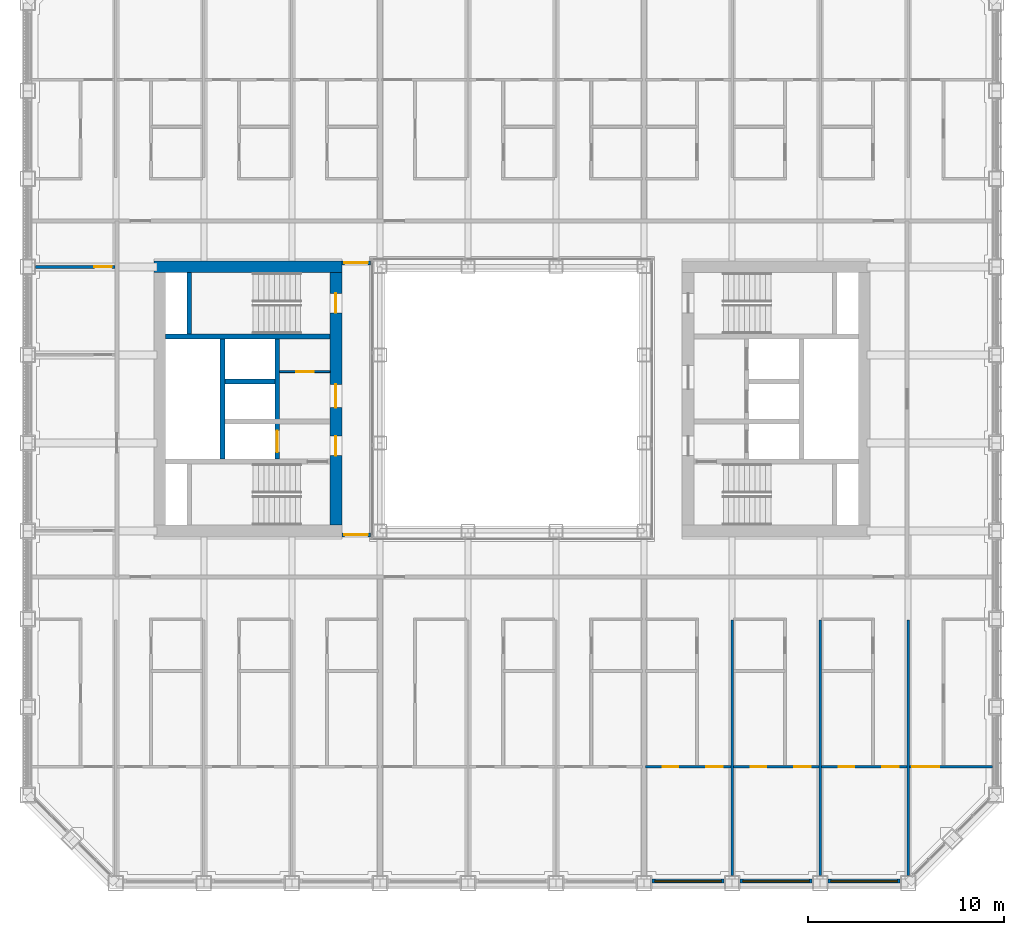
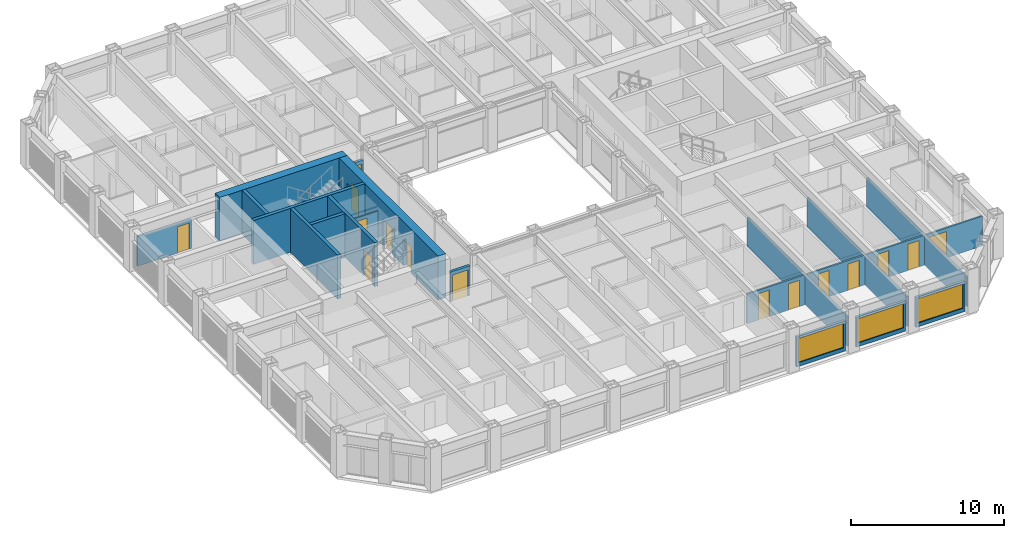
# One storey, part 11 of 21: 21 walls, 15 doors, 3 windows, 18 openings.
"""IFC4 building model written with IfcOpenShell, lengths in metres."""

from ifc_helpers import new_model, si_unit, direction, frame, frame_2d, origin, place, context, subcontext, project, spatial, rectangle, extrude, material, layer, layer_set, type_object, element, fill, save


model = new_model("IFC4")

# Units and contexts
model_context = context("Model", 3, precision=1e-05, world=origin(), true_north=direction((0.0, 1.0)))
body_context = subcontext(model_context, "Body", "Model", "MODEL_VIEW")
ifc_project = project(units=[si_unit("LENGTHUNIT", "METRE"), si_unit("AREAUNIT", "SQUARE_METRE"), si_unit("VOLUMEUNIT", "CUBIC_METRE"), si_unit("PLANEANGLEUNIT", "RADIAN"), si_unit("MASSUNIT", "GRAM", prefix="KILO")], contexts=[model_context])

# Site, building, storey
site_placement = place(None, origin())
site = spatial("IfcSite", under=ifc_project, at=site_placement, CompositionType="ELEMENT")
building_placement = place(site_placement, origin())
building = spatial("IfcBuilding", under=site, at=building_placement, Name="Msasa Ring Tower", CompositionType="ELEMENT")
storey_placement = place(building_placement, frame((0.0, 0.0, 96.5)))
storey = spatial("IfcBuildingStorey", under=building, at=storey_placement, Name="L25", CompositionType="ELEMENT", Elevation=96.5)

# Wall
ifc_material_1 = material(Name="Concrete C60/75", Category="concrete")
ifc_layer_1 = layer(ifc_material_1, 0.60009765625)
ifc_layer_set_1 = layer_set([ifc_layer_1], Name="CW1 CORE WALL 600")
wall_type_1 = type_object("IfcWallType", Name="CW1 CORE WALL 600", PredefinedType="SHEAR", material=ifc_layer_set_1)
wall_1_placement = place(storey_placement, frame((-8.699951171875, 6.75, 0.0), z_axis=(0.0, 0.0, 1.0), x_axis=(-1.0, 0.0, 0.0)))
element("IfcWall", 1, at=wall_1_placement, inside=storey, type_object=wall_type_1, Name="W core wall N L25", PredefinedType="SHEAR", context=body_context, shape_type="SweptSolid", body=[
    extrude(rectangle(XDim=9.60009765625, YDim=0.60009765625, at=frame_2d((4.800048828125, 0.0))), origin(), (0.0, 0.0, 1.0), 3.5),
])

# Wall, openings, doors
wall_2_placement = place(storey_placement, frame((-9.0, -6.449951171875, 0.0), z_axis=(0.0, 0.0, 1.0), x_axis=(0.0, 1.0, 0.0)))
wall_2 = element("IfcWall", 2, at=wall_2_placement, inside=storey, type_object=wall_type_1, Name="W core wall W L25", PredefinedType="SHEAR", context=body_context, shape_type="SweptSolid", body=[
    extrude(rectangle(XDim=12.89990234375, YDim=0.60009765625, at=frame_2d((6.449951171875, 0.0))), origin(), (0.0, 0.0, 1.0), 3.5),
])
opening_1_placement = place(wall_2_placement, frame((3.550048828125, 0.0, 0.0)))
opening_1 = element("IfcOpeningElement", 3, at=opening_1_placement, cuts=wall_2, Name="Opening RG-044", PredefinedType="OPENING", context=body_context, shape_type="SweptSolid", body=[
    extrude(rectangle(XDim=1.0, YDim=2.10009765625, at=frame_2d((0.5, 1.050048828125))), frame((0.0, 0.31005859375, 0.0), z_axis=(0.0, -1.0, 0.0), x_axis=(1.0, 0.0, 0.0)), (0.0, 0.0, 1.0), 0.6201171875),
])
opening_2_placement = place(wall_2_placement, frame((6.0, 0.0, 0.0)))
opening_2 = element("IfcOpeningElement", 4, at=opening_2_placement, cuts=wall_2, Name="Opening RG-041", PredefinedType="OPENING", context=body_context, shape_type="SweptSolid", body=[
    extrude(rectangle(XDim=1.199951171875, YDim=2.10009765625, at=frame_2d((0.60009765625, 1.050048828125))), frame((0.0, 0.31005859375, 0.0), z_axis=(0.0, -1.0, 0.0), x_axis=(1.0, 0.0, 0.0)), (0.0, 0.0, 1.0), 0.6201171875),
])
opening_3_placement = place(wall_2_placement, frame((10.85009765625, 0.0, 0.0)))
opening_3 = element("IfcOpeningElement", 5, at=opening_3_placement, cuts=wall_2, Name="Opening RG-036", PredefinedType="OPENING", context=body_context, shape_type="SweptSolid", body=[
    extrude(rectangle(XDim=1.0, YDim=2.10009765625, at=frame_2d((0.5, 1.050048828125))), frame((0.0, 0.31005859375, 0.0), z_axis=(0.0, -1.0, 0.0), x_axis=(1.0, 0.0, 0.0)), (0.0, 0.0, 1.0), 0.6201171875),
])
ifc_material_2 = material(Name="Timber door leaf in a steel frame", Category="steel")
door_type_1 = type_object("IfcDoorType", Name="D26 WIDE SERVICE ROOM DOOR 1200x2100", OperationType="SINGLE_SWING_LEFT", PredefinedType="DOOR", material=ifc_material_2)
door_1_placement = place(opening_2_placement, origin())
door_1 = element("IfcDoor", 6, at=door_1_placement, inside=storey, type_object=door_type_1, Name="Door L25-WCR", OperationType="SINGLE_SWING_RIGHT", OverallHeight=2.10009765625, OverallWidth=1.199951171875, PredefinedType="DOOR", context=body_context, shape_type="SweptSolid", body=[
    extrude(rectangle(XDim=1.199951171875, YDim=2.10009765625, at=frame_2d((0.60009765625, 1.050048828125))), frame((0.0, 0.02490234375, 0.0), z_axis=(0.0, -1.0, 0.0), x_axis=(1.0, 0.0, 0.0)), (0.0, 0.0, 1.0), 0.050048828125),
])
fill(opening_2, door_1)
ifc_material_3 = material(Name="Timber door leaf in a steel frame", Category="steel")
door_type_2 = type_object("IfcDoorType", Name="D4 LOBBY DOOR 1000x2100", OperationType="SINGLE_SWING_LEFT", PredefinedType="DOOR", material=ifc_material_3)
door_2_placement = place(opening_1_placement, origin())
door_2 = element("IfcDoor", 7, at=door_2_placement, inside=storey, type_object=door_type_2, Name="Door L25-WFFL", OperationType="SINGLE_SWING_LEFT", OverallHeight=2.10009765625, OverallWidth=1.0, PredefinedType="DOOR", context=body_context, shape_type="SweptSolid", body=[
    extrude(rectangle(XDim=1.0, YDim=2.10009765625, at=frame_2d((0.5, 1.050048828125))), frame((0.0, 0.02490234375, 0.0), z_axis=(0.0, -1.0, 0.0), x_axis=(1.0, 0.0, 0.0)), (0.0, 0.0, 1.0), 0.050048828125),
])
fill(opening_1, door_2)
ifc_material_4 = material(Name="Timber door leaf in a steel frame", Category="steel")
door_type_3 = type_object("IfcDoorType", Name="D6 STAIR DOOR 1000x2100", OperationType="SINGLE_SWING_LEFT", PredefinedType="DOOR", material=ifc_material_4)
door_3_placement = place(opening_3_placement, origin())
door_3 = element("IfcDoor", 8, at=door_3_placement, inside=storey, type_object=door_type_3, Name="Door L25-WSTB", OperationType="SINGLE_SWING_RIGHT", OverallHeight=2.10009765625, OverallWidth=1.0, PredefinedType="DOOR", context=body_context, shape_type="SweptSolid", body=[
    extrude(rectangle(XDim=1.0, YDim=2.10009765625, at=frame_2d((0.5, 1.050048828125))), frame((0.0, 0.02490234375, 0.0), z_axis=(0.0, -1.0, 0.0), x_axis=(1.0, 0.0, 0.0)), (0.0, 0.0, 1.0), 0.050048828125),
])
fill(opening_3, door_3)

# Walls
ifc_material_5 = material(Name="Concrete C60/75", Category="concrete")
ifc_layer_2 = layer(ifc_material_5, 0.25)
ifc_layer_set_2 = layer_set([ifc_layer_2], Name="CW4 CORE INNER WALL 250")
wall_type_2 = type_object("IfcWallType", Name="CW4 CORE INNER WALL 250", PredefinedType="SHEAR", material=ifc_layer_set_2)
wall_3_placement = place(storey_placement, frame((-9.300048828125, 3.199951171875, 0.0), z_axis=(0.0, 0.0, 1.0), x_axis=(-1.0, 0.0, 0.0)))
element("IfcWall", 9, at=wall_3_placement, inside=storey, type_object=wall_type_2, Name="W core wall STAIRB L25", PredefinedType="SHEAR", context=body_context, shape_type="SweptSolid", body=[
    extrude(rectangle(XDim=8.39990234375, YDim=0.25, at=frame_2d((4.199951171875, 0.0))), origin(), (0.0, 0.0, 1.0), 3.5),
])
wall_4_placement = place(storey_placement, frame((-16.5, 3.324951171875, 0.0), z_axis=(0.0, 0.0, 1.0), x_axis=(0.0, 1.0, 0.0)))
element("IfcWall", 10, at=wall_4_placement, inside=storey, type_object=wall_type_2, Name="W core wall RISERB L25", PredefinedType="SHEAR", context=body_context, shape_type="SweptSolid", body=[
    extrude(rectangle(XDim=3.125, YDim=0.25, at=frame_2d((1.5625, 0.0))), origin(), (0.0, 0.0, 1.0), 3.5),
])

# Wall, opening, door
wall_5_placement = place(storey_placement, frame((-12.0, -3.074951171875, 0.0), z_axis=(0.0, 0.0, 1.0), x_axis=(0.0, 1.0, 0.0)))
wall_5 = element("IfcWall", 11, at=wall_5_placement, inside=storey, type_object=wall_type_2, Name="W core wall LOBBY L25", PredefinedType="SHEAR", context=body_context, shape_type="SweptSolid", body=[
    extrude(rectangle(XDim=6.14990234375, YDim=0.25, at=frame_2d((3.074951171875, 0.0))), origin(), (0.0, 0.0, 1.0), 3.5),
])
opening_4_placement = place(wall_5_placement, frame((0.35009765625, 0.0, 0.0)))
opening_4 = element("IfcOpeningElement", 12, at=opening_4_placement, cuts=wall_5, Name="Opening LD1", PredefinedType="OPENING", context=body_context, shape_type="SweptSolid", body=[
    extrude(rectangle(XDim=1.10009765625, YDim=2.10009765625, at=frame_2d((0.550048828125, 1.050048828125))), frame((0.0, 0.135009765625, 0.0), z_axis=(0.0, -1.0, 0.0), x_axis=(1.0, 0.0, 0.0)), (0.0, 0.0, 1.0), 0.27001953125),
])
ifc_material_6 = material(Name="Stainless steel lift landing door", Category="steel")
door_type_4 = type_object("IfcDoorType", Name="LD1 LIFT LANDING DOOR 1100x2100", OperationType="DOUBLE_DOOR_SLIDING", PredefinedType="DOOR", material=ifc_material_6)
door_4_placement = place(opening_4_placement, origin())
door_4 = element("IfcDoor", 13, at=door_4_placement, inside=storey, type_object=door_type_4, Name="Lift landing door FL-W L25", OperationType="DOUBLE_DOOR_SLIDING", OverallHeight=2.10009765625, OverallWidth=1.10009765625, PredefinedType="DOOR", context=body_context, shape_type="SweptSolid", body=[
    extrude(rectangle(XDim=1.10009765625, YDim=2.10009765625, at=frame_2d((0.550048828125, 1.050048828125))), frame((0.0, 0.02490234375, 0.0), z_axis=(0.0, -1.0, 0.0), x_axis=(1.0, 0.0, 0.0)), (0.0, 0.0, 1.0), 0.050048828125),
])
fill(opening_4, door_4)

# Walls
wall_6_placement = place(storey_placement, frame((-14.800048828125, -3.074951171875, 0.0), z_axis=(0.0, 0.0, 1.0), x_axis=(0.0, 1.0, 0.0)))
element("IfcWall", 14, at=wall_6_placement, inside=storey, type_object=wall_type_2, Name="W core wall SHAFT L25", PredefinedType="SHEAR", context=body_context, shape_type="SweptSolid", body=[
    extrude(rectangle(XDim=6.14990234375, YDim=0.25, at=frame_2d((3.074951171875, 0.0))), origin(), (0.0, 0.0, 1.0), 3.5),
])
wall_7_placement = place(storey_placement, frame((-12.125, 0.89990234375, 0.0), z_axis=(0.0, 0.0, 1.0), x_axis=(-1.0, 0.0, 0.0)))
element("IfcWall", 15, at=wall_7_placement, inside=storey, type_object=wall_type_2, Name="W core wall LIFT1 L25", PredefinedType="SHEAR", context=body_context, shape_type="SweptSolid", body=[
    extrude(rectangle(XDim=2.550048828125, YDim=0.25, at=frame_2d((1.27490234375, 0.0))), origin(), (0.0, 0.0, 1.0), 3.5),
])

# Wall, opening, window
ifc_material_7 = material(Name="Terracotta rainscreen on blockwork", Category="masonry")
ifc_layer_3 = layer(ifc_material_7, 0.199951171875)
ifc_layer_set_3 = layer_set([ifc_layer_3], Name="FW1 TERRACOTTA-LINED INFILL BAY WALL 200")
wall_type_3 = type_object("IfcWallType", Name="FW1 TERRACOTTA-LINED INFILL BAY WALL 200", PredefinedType="SOLIDWALL", material=ifc_layer_set_3)
wall_8_placement = place(storey_placement, frame((7.155029296875, -24.64990234375, 0.0), z_axis=(0.0, 0.0, 1.0), x_axis=(1.0, 0.0, 0.0)))
wall_8 = element("IfcWall", 16, at=wall_8_placement, inside=storey, type_object=wall_type_3, Name="Infill bay wall S L25 06", PredefinedType="SOLIDWALL", context=body_context, shape_type="SweptSolid", body=[
    extrude(rectangle(XDim=3.68994140625, YDim=0.199951171875, at=frame_2d((1.844970703125, 0.0))), origin(), (0.0, 0.0, 1.0), 2.37890625),
])
opening_5_placement = place(wall_8_placement, frame((0.14501953125, 0.0, 0.300048828125)))
opening_5 = element("IfcOpeningElement", 17, at=opening_5_placement, cuts=wall_8, Name="Opening WN1", PredefinedType="OPENING", context=body_context, shape_type="SweptSolid", body=[
    extrude(rectangle(XDim=3.39990234375, YDim=1.928955078125, at=frame_2d((1.699951171875, 0.96435546875))), frame((0.0, 0.10986328125, 0.0), z_axis=(0.0, -1.0, 0.0), x_axis=(1.0, 0.0, 0.0)), (0.0, 0.0, 1.0), 0.219970703125),
])
ifc_material_8 = material(Name="Aluminium frame with clear glass", Category="aluminium")
window_type = type_object("IfcWindowType", Name="WN1 RESIDENCE WINDOW 3400x1929", PartitioningType="SINGLE_PANEL", PredefinedType="WINDOW", material=ifc_material_8)
window_1_placement = place(opening_5_placement, origin())
window_1 = element("IfcWindow", 18, at=window_1_placement, inside=storey, type_object=window_type, Name="Window S L25 06", OverallHeight=1.928955078125, OverallWidth=3.39990234375, PartitioningType="SINGLE_PANEL", PredefinedType="WINDOW", context=body_context, shape_type="SweptSolid", body=[
    extrude(rectangle(XDim=3.39990234375, YDim=1.928955078125, at=frame_2d((1.699951171875, 0.96435546875))), frame((0.0, 0.030029296875, 0.0), z_axis=(0.0, -1.0, 0.0), x_axis=(1.0, 0.0, 0.0)), (0.0, 0.0, 1.0), 0.06005859375),
])
fill(opening_5, window_1)

wall_9_placement = place(storey_placement, frame((11.655029296875, -24.64990234375, 0.0), z_axis=(0.0, 0.0, 1.0), x_axis=(1.0, 0.0, 0.0)))
wall_9 = element("IfcWall", 19, at=wall_9_placement, inside=storey, type_object=wall_type_3, Name="Infill bay wall S L25 07", PredefinedType="SOLIDWALL", context=body_context, shape_type="SweptSolid", body=[
    extrude(rectangle(XDim=3.68994140625, YDim=0.199951171875, at=frame_2d((1.844970703125, 0.0))), origin(), (0.0, 0.0, 1.0), 2.37890625),
])
opening_6_placement = place(wall_9_placement, frame((0.14501953125, 0.0, 0.300048828125)))
opening_6 = element("IfcOpeningElement", 20, at=opening_6_placement, cuts=wall_9, Name="Opening WN1", PredefinedType="OPENING", context=body_context, shape_type="SweptSolid", body=[
    extrude(rectangle(XDim=3.39990234375, YDim=1.928955078125, at=frame_2d((1.699951171875, 0.96435546875))), frame((0.0, 0.10986328125, 0.0), z_axis=(0.0, -1.0, 0.0), x_axis=(1.0, 0.0, 0.0)), (0.0, 0.0, 1.0), 0.219970703125),
])
window_2_placement = place(opening_6_placement, origin())
window_2 = element("IfcWindow", 21, at=window_2_placement, inside=storey, type_object=window_type, Name="Window S L25 07", OverallHeight=1.928955078125, OverallWidth=3.39990234375, PartitioningType="SINGLE_PANEL", PredefinedType="WINDOW", context=body_context, shape_type="SweptSolid", body=[
    extrude(rectangle(XDim=3.39990234375, YDim=1.928955078125, at=frame_2d((1.699951171875, 0.96435546875))), frame((0.0, 0.030029296875, 0.0), z_axis=(0.0, -1.0, 0.0), x_axis=(1.0, 0.0, 0.0)), (0.0, 0.0, 1.0), 0.06005859375),
])
fill(opening_6, window_2)

wall_10_placement = place(storey_placement, frame((16.155029296875, -24.64990234375, 0.0), z_axis=(0.0, 0.0, 1.0), x_axis=(1.0, 0.0, 0.0)))
wall_10 = element("IfcWall", 22, at=wall_10_placement, inside=storey, type_object=wall_type_3, Name="Infill bay wall S L25 08", PredefinedType="SOLIDWALL", context=body_context, shape_type="SweptSolid", body=[
    extrude(rectangle(XDim=3.68994140625, YDim=0.199951171875, at=frame_2d((1.844970703125, 0.0))), origin(), (0.0, 0.0, 1.0), 2.37890625),
])
opening_7_placement = place(wall_10_placement, frame((0.14501953125, 0.0, 0.300048828125)))
opening_7 = element("IfcOpeningElement", 23, at=opening_7_placement, cuts=wall_10, Name="Opening WN1", PredefinedType="OPENING", context=body_context, shape_type="SweptSolid", body=[
    extrude(rectangle(XDim=3.39990234375, YDim=1.928955078125, at=frame_2d((1.699951171875, 0.96435546875))), frame((0.0, 0.10986328125, 0.0), z_axis=(0.0, -1.0, 0.0), x_axis=(1.0, 0.0, 0.0)), (0.0, 0.0, 1.0), 0.219970703125),
])
window_3_placement = place(opening_7_placement, origin())
window_3 = element("IfcWindow", 24, at=window_3_placement, inside=storey, type_object=window_type, Name="Window S L25 08", OverallHeight=1.928955078125, OverallWidth=3.39990234375, PartitioningType="SINGLE_PANEL", PredefinedType="WINDOW", context=body_context, shape_type="SweptSolid", body=[
    extrude(rectangle(XDim=3.39990234375, YDim=1.928955078125, at=frame_2d((1.699951171875, 0.96435546875))), frame((0.0, 0.030029296875, 0.0), z_axis=(0.0, -1.0, 0.0), x_axis=(1.0, 0.0, 0.0)), (0.0, 0.0, 1.0), 0.06005859375),
])
fill(opening_7, window_3)

# Wall, opening, door
ifc_material_9 = material(Name="Concrete blockwork", Category="masonry")
ifc_layer_4 = layer(ifc_material_9, 0.199951171875)
ifc_layer_set_4 = layer_set([ifc_layer_4], Name="PT1 CORRIDOR WALL 200")
wall_type_4 = type_object("IfcWallType", Name="PT1 CORRIDOR WALL 200", PredefinedType="PARTITIONING", material=ifc_layer_set_4)
wall_11_placement = place(storey_placement, frame((-8.699951171875, 6.949951171875, 0.0), z_axis=(0.0, 0.0, 1.0), x_axis=(1.0, 0.0, 0.0)))
wall_11 = element("IfcWall", 25, at=wall_11_placement, inside=storey, type_object=wall_type_4, Name="Corridor wall L25-SDWN", PredefinedType="PARTITIONING", context=body_context, shape_type="SweptSolid", body=[
    extrude(rectangle(XDim=1.469970703125, YDim=0.199951171875, at=frame_2d((0.73486328125, 0.0))), origin(), (0.0, 0.0, 1.0), 2.373291015625),
])
opening_8_placement = place(wall_11_placement, frame((0.135009765625, 0.0, 0.0)))
opening_8 = element("IfcOpeningElement", 26, at=opening_8_placement, cuts=wall_11, Name="Opening RG-034", PredefinedType="OPENING", context=body_context, shape_type="SweptSolid", body=[
    extrude(rectangle(XDim=1.199951171875, YDim=2.10009765625, at=frame_2d((0.60009765625, 1.050048828125))), frame((0.0, 0.10986328125, 0.0), z_axis=(0.0, -1.0, 0.0), x_axis=(1.0, 0.0, 0.0)), (0.0, 0.0, 1.0), 0.219970703125),
])
ifc_material_10 = material(Name="Timber door leaf in a steel frame", Category="steel")
door_type_5 = type_object("IfcDoorType", Name="D25 CORRIDOR PAIR OF SMOKE DOORS 1200x2100", OperationType="DOUBLE_DOOR_DOUBLE_SWING", PredefinedType="DOOR", material=ifc_material_10)
door_5_placement = place(opening_8_placement, origin())
door_5 = element("IfcDoor", 27, at=door_5_placement, inside=storey, type_object=door_type_5, Name="Door L25-SDWN", OperationType="DOUBLE_DOOR_DOUBLE_SWING", OverallHeight=2.10009765625, OverallWidth=1.199951171875, PredefinedType="DOOR", context=body_context, shape_type="SweptSolid", body=[
    extrude(rectangle(XDim=1.199951171875, YDim=2.10009765625, at=frame_2d((0.60009765625, 1.050048828125))), frame((0.0, 0.02490234375, 0.0), z_axis=(0.0, -1.0, 0.0), x_axis=(1.0, 0.0, 0.0)), (0.0, 0.0, 1.0), 0.050048828125),
])
fill(opening_8, door_5)

wall_12_placement = place(storey_placement, frame((-8.699951171875, -6.949951171875, 0.0), z_axis=(0.0, 0.0, 1.0), x_axis=(1.0, 0.0, 0.0)))
wall_12 = element("IfcWall", 28, at=wall_12_placement, inside=storey, type_object=wall_type_4, Name="Corridor wall L25-SDWS", PredefinedType="PARTITIONING", context=body_context, shape_type="SweptSolid", body=[
    extrude(rectangle(XDim=1.469970703125, YDim=0.199951171875, at=frame_2d((0.73486328125, 0.0))), origin(), (0.0, 0.0, 1.0), 2.373291015625),
])
opening_9_placement = place(wall_12_placement, frame((0.135009765625, 0.0, 0.0)))
opening_9 = element("IfcOpeningElement", 29, at=opening_9_placement, cuts=wall_12, Name="Opening RG-049", PredefinedType="OPENING", context=body_context, shape_type="SweptSolid", body=[
    extrude(rectangle(XDim=1.199951171875, YDim=2.10009765625, at=frame_2d((0.60009765625, 1.050048828125))), frame((0.0, 0.10986328125, 0.0), z_axis=(0.0, -1.0, 0.0), x_axis=(1.0, 0.0, 0.0)), (0.0, 0.0, 1.0), 0.219970703125),
])
door_6_placement = place(opening_9_placement, origin())
door_6 = element("IfcDoor", 30, at=door_6_placement, inside=storey, type_object=door_type_5, Name="Door L25-SDWS", OperationType="DOUBLE_DOOR_DOUBLE_SWING", OverallHeight=2.10009765625, OverallWidth=1.199951171875, PredefinedType="DOOR", context=body_context, shape_type="SweptSolid", body=[
    extrude(rectangle(XDim=1.199951171875, YDim=2.10009765625, at=frame_2d((0.60009765625, 1.050048828125))), frame((0.0, 0.02490234375, 0.0), z_axis=(0.0, -1.0, 0.0), x_axis=(1.0, 0.0, 0.0)), (0.0, 0.0, 1.0), 0.050048828125),
])
fill(opening_9, door_6)

ifc_material_11 = material(Name="Gypsum board on steel studs", Category="steel")
ifc_layer_5 = layer(ifc_material_11, 0.10009765625)
ifc_layer_set_5 = layer_set([ifc_layer_5], Name="PT2 STUD PARTITION 100")
wall_type_5 = type_object("IfcWallType", Name="PT2 STUD PARTITION 100", PredefinedType="PARTITIONING", material=ifc_layer_set_5)
wall_13_placement = place(storey_placement, frame((-11.875, 1.39990234375, 0.0), z_axis=(0.0, 0.0, 1.0), x_axis=(1.0, 0.0, 0.0)))
wall_13 = element("IfcWall", 31, at=wall_13_placement, inside=storey, type_object=wall_type_5, Name="Partition L25-WCP", PredefinedType="PARTITIONING", context=body_context, shape_type="SweptSolid", body=[
    extrude(rectangle(XDim=2.574951171875, YDim=0.10009765625, at=frame_2d((1.28759765625, 0.0))), origin(), (0.0, 0.0, 1.0), 2.373291015625),
])
opening_10_placement = place(wall_13_placement, frame((0.83740234375, 0.0, 0.0)))
opening_10 = element("IfcOpeningElement", 32, at=opening_10_placement, cuts=wall_13, Name="Opening RG-039", PredefinedType="OPENING", context=body_context, shape_type="SweptSolid", body=[
    extrude(rectangle(XDim=0.89990234375, YDim=2.10009765625, at=frame_2d((0.449951171875, 1.050048828125))), frame((0.0, 0.06005859375, 0.0), z_axis=(0.0, -1.0, 0.0), x_axis=(1.0, 0.0, 0.0)), (0.0, 0.0, 1.0), 0.1201171875),
])
ifc_material_12 = material(Name="Timber door leaf in a steel frame", Category="steel")
door_type_6 = type_object("IfcDoorType", Name="D22 INTERNAL HALL DOOR 900x2100", OperationType="SINGLE_SWING_LEFT", PredefinedType="DOOR", material=ifc_material_12)
door_7_placement = place(opening_10_placement, origin())
door_7 = element("IfcDoor", 33, at=door_7_placement, inside=storey, type_object=door_type_6, Name="Door L25-WCP", OperationType="SINGLE_SWING_LEFT", OverallHeight=2.10009765625, OverallWidth=0.89990234375, PredefinedType="DOOR", context=body_context, shape_type="SweptSolid", body=[
    extrude(rectangle(XDim=0.89990234375, YDim=2.10009765625, at=frame_2d((0.449951171875, 1.050048828125))), frame((0.0, 0.02490234375, 0.0), z_axis=(0.0, -1.0, 0.0), x_axis=(1.0, 0.0, 0.0)), (0.0, 0.0, 1.0), 0.050048828125),
])
fill(opening_10, door_7)

ifc_material_13 = material(Name="Moisture-resistant board on steel studs with a concealed cistern and pipe void, tiled", Category="steel")
ifc_layer_6 = layer(ifc_material_13, 0.14990234375)
ifc_layer_set_6 = layer_set([ifc_layer_6], Name="PT4 BATHROOM WET WALL 150")
wall_type_6 = type_object("IfcWallType", Name="PT4 BATHROOM WET WALL 150", PredefinedType="PARTITIONING", material=ifc_layer_set_6)
wall_14_placement = place(storey_placement, frame((-24.35009765625, 6.75, 0.0), z_axis=(0.0, 0.0, 1.0), x_axis=(1.0, 0.0, 0.0)))
wall_14 = element("IfcWall", 34, at=wall_14_placement, inside=storey, type_object=wall_type_6, Name="Partition L25-STWBY", PredefinedType="PARTITIONING", context=body_context, shape_type="SweptSolid", body=[
    extrude(rectangle(XDim=4.050048828125, YDim=0.14990234375, at=frame_2d((2.02490234375, 0.0))), origin(), (0.0, 0.0, 1.0), 2.373291015625),
])
opening_11_placement = place(wall_14_placement, frame((3.0, 0.0, 0.0)))
opening_11 = element("IfcOpeningElement", 35, at=opening_11_placement, cuts=wall_14, Name="Opening RG-035", PredefinedType="OPENING", context=body_context, shape_type="SweptSolid", body=[
    extrude(rectangle(XDim=0.89990234375, YDim=2.10009765625, at=frame_2d((0.449951171875, 1.050048828125))), frame((0.0, 0.0849609375, 0.0), z_axis=(0.0, -1.0, 0.0), x_axis=(1.0, 0.0, 0.0)), (0.0, 0.0, 1.0), 0.169921875),
])
ifc_material_14 = material(Name="Timber door leaf in a steel frame", Category="steel")
door_type_7 = type_object("IfcDoorType", Name="D3 BATHROOM DOOR 900x2100", OperationType="SINGLE_SWING_LEFT", PredefinedType="DOOR", material=ifc_material_14)
door_8_placement = place(opening_11_placement, origin())
door_8 = element("IfcDoor", 36, at=door_8_placement, inside=storey, type_object=door_type_7, Name="Door L25-STWB", OperationType="SINGLE_SWING_RIGHT", OverallHeight=2.10009765625, OverallWidth=0.89990234375, PredefinedType="DOOR", context=body_context, shape_type="SweptSolid", body=[
    extrude(rectangle(XDim=0.89990234375, YDim=2.10009765625, at=frame_2d((0.449951171875, 1.050048828125))), frame((0.0, 0.02490234375, 0.0), z_axis=(0.0, -1.0, 0.0), x_axis=(1.0, 0.0, 0.0)), (0.0, 0.0, 1.0), 0.050048828125),
])
fill(opening_11, door_8)

ifc_material_15 = material(Name="Two layers of acoustic board each face on steel studs, mineral wool", Category="steel")
ifc_layer_7 = layer(ifc_material_15, 0.125)
ifc_layer_set_7 = layer_set([ifc_layer_7], Name="PT6 ACOUSTIC DOUBLE-BOARD PARTITION 125")
wall_type_7 = type_object("IfcWallType", Name="PT6 ACOUSTIC DOUBLE-BOARD PARTITION 125", PredefinedType="PARTITIONING", material=ifc_layer_set_7)
wall_15_placement = place(storey_placement, frame((20.3125, -18.8125, 0.0), z_axis=(0.0, 0.0, 1.0), x_axis=(1.0, 0.0, 0.0)))
wall_15 = element("IfcWall", 37, at=wall_15_placement, inside=storey, type_object=wall_type_7, Name="Partition L25-US02SY0", PredefinedType="PARTITIONING", context=body_context, shape_type="SweptSolid", body=[
    extrude(rectangle(XDim=4.237548828125, YDim=0.125, at=frame_2d((2.11865234375, 0.0))), origin(), (0.0, 0.0, 1.0), 2.373291015625),
])
opening_12_placement = place(wall_15_placement, frame((0.137451171875, 0.0, 0.0)))
opening_12 = element("IfcOpeningElement", 38, at=opening_12_placement, cuts=wall_15, Name="Opening RG-082", PredefinedType="OPENING", context=body_context, shape_type="SweptSolid", body=[
    extrude(rectangle(XDim=1.39990234375, YDim=2.10009765625, at=frame_2d((0.699951171875, 1.050048828125))), frame((0.0, 0.072509765625, 0.0), z_axis=(0.0, -1.0, 0.0), x_axis=(1.0, 0.0, 0.0)), (0.0, 0.0, 1.0), 0.14501953125),
])
ifc_material_16 = material(Name="Timber door leaf in a steel frame", Category="steel")
door_type_8 = type_object("IfcDoorType", Name="D15 LIVING ROOM PAIR OF GLAZED DOORS 1400x2100", OperationType="SINGLE_SWING_LEFT", PredefinedType="DOOR", material=ifc_material_16)
door_9_placement = place(opening_12_placement, origin())
door_9 = element("IfcDoor", 39, at=door_9_placement, inside=storey, type_object=door_type_8, Name="Door L25-US02L", OperationType="SINGLE_SWING_LEFT", OverallHeight=2.10009765625, OverallWidth=1.39990234375, PredefinedType="DOOR", context=body_context, shape_type="SweptSolid", body=[
    extrude(rectangle(XDim=1.39990234375, YDim=2.10009765625, at=frame_2d((0.699951171875, 1.050048828125))), frame((0.0, 0.02490234375, 0.0), z_axis=(0.0, -1.0, 0.0), x_axis=(1.0, 0.0, 0.0)), (0.0, 0.0, 1.0), 0.050048828125),
])
fill(opening_12, door_9)

# Wall
wall_16_placement = place(storey_placement, frame((20.25, -24.35009765625, 0.0), z_axis=(0.0, 0.0, 1.0), x_axis=(0.0, 1.0, 0.0)))
element("IfcWall", 40, at=wall_16_placement, inside=storey, type_object=wall_type_7, Name="Partition L25-US02P1", PredefinedType="PARTITIONING", context=body_context, shape_type="SweptSolid", body=[
    extrude(rectangle(XDim=13.03759765625, YDim=0.125, at=frame_2d((6.518798828125, 0.0))), origin(), (0.0, 0.0, 1.0), 2.373291015625),
])

# Wall, openings, doors
wall_17_placement = place(storey_placement, frame((15.8125, -18.8125, 0.0), z_axis=(0.0, 0.0, 1.0), x_axis=(1.0, 0.0, 0.0)))
wall_17 = element("IfcWall", 41, at=wall_17_placement, inside=storey, type_object=wall_type_7, Name="Partition L25-US02SY1", PredefinedType="PARTITIONING", context=body_context, shape_type="SweptSolid", body=[
    extrude(rectangle(XDim=4.375, YDim=0.125, at=frame_2d((2.1875, 0.0))), origin(), (0.0, 0.0, 1.0), 2.373291015625),
])
opening_13_placement = place(wall_17_placement, frame((3.112548828125, 0.0, 0.0)))
opening_13 = element("IfcOpeningElement", 42, at=opening_13_placement, cuts=wall_17, Name="Opening RG-081", PredefinedType="OPENING", context=body_context, shape_type="SweptSolid", body=[
    extrude(rectangle(XDim=0.85009765625, YDim=2.10009765625, at=frame_2d((0.425048828125, 1.050048828125))), frame((0.0, 0.072509765625, 0.0), z_axis=(0.0, -1.0, 0.0), x_axis=(1.0, 0.0, 0.0)), (0.0, 0.0, 1.0), 0.14501953125),
])
opening_14_placement = place(wall_17_placement, frame((0.88134765625, 0.0, 0.0)))
opening_14 = element("IfcOpeningElement", 43, at=opening_14_placement, cuts=wall_17, Name="Opening RG-080", PredefinedType="OPENING", context=body_context, shape_type="SweptSolid", body=[
    extrude(rectangle(XDim=0.800048828125, YDim=2.10009765625, at=frame_2d((0.39990234375, 1.050048828125))), frame((0.0, 0.072509765625, 0.0), z_axis=(0.0, -1.0, 0.0), x_axis=(1.0, 0.0, 0.0)), (0.0, 0.0, 1.0), 0.14501953125),
])
ifc_material_17 = material(Name="Timber door leaf in a steel frame", Category="steel")
door_type_9 = type_object("IfcDoorType", Name="D14 BEDROOM DOOR 850x2100", OperationType="SINGLE_SWING_LEFT", PredefinedType="DOOR", material=ifc_material_17)
door_10_placement = place(opening_13_placement, origin())
door_10 = element("IfcDoor", 44, at=door_10_placement, inside=storey, type_object=door_type_9, Name="Door L25-US02R1", OperationType="SINGLE_SWING_RIGHT", OverallHeight=2.10009765625, OverallWidth=0.85009765625, PredefinedType="DOOR", context=body_context, shape_type="SweptSolid", body=[
    extrude(rectangle(XDim=0.85009765625, YDim=2.10009765625, at=frame_2d((0.425048828125, 1.050048828125))), frame((0.0, 0.02490234375, 0.0), z_axis=(0.0, -1.0, 0.0), x_axis=(1.0, 0.0, 0.0)), (0.0, 0.0, 1.0), 0.050048828125),
])
fill(opening_13, door_10)
ifc_material_18 = material(Name="Timber door leaf in a steel frame", Category="steel")
door_type_10 = type_object("IfcDoorType", Name="D60 DRESSING ROOM DOOR 800x2100", OperationType="SINGLE_SWING_LEFT", PredefinedType="DOOR", material=ifc_material_18)
door_11_placement = place(opening_14_placement, origin())
door_11 = element("IfcDoor", 45, at=door_11_placement, inside=storey, type_object=door_type_10, Name="Door L25-US02W1", OperationType="SINGLE_SWING_LEFT", OverallHeight=2.10009765625, OverallWidth=0.800048828125, PredefinedType="DOOR", context=body_context, shape_type="SweptSolid", body=[
    extrude(rectangle(XDim=0.800048828125, YDim=2.10009765625, at=frame_2d((0.39990234375, 1.050048828125))), frame((0.0, 0.02490234375, 0.0), z_axis=(0.0, -1.0, 0.0), x_axis=(1.0, 0.0, 0.0)), (0.0, 0.0, 1.0), 0.050048828125),
])
fill(opening_14, door_11)

# Wall
wall_18_placement = place(storey_placement, frame((15.75, -24.35009765625, 0.0), z_axis=(0.0, 0.0, 1.0), x_axis=(0.0, 1.0, 0.0)))
element("IfcWall", 46, at=wall_18_placement, inside=storey, type_object=wall_type_7, Name="Partition L25-US02P2", PredefinedType="PARTITIONING", context=body_context, shape_type="SweptSolid", body=[
    extrude(rectangle(XDim=13.03759765625, YDim=0.125, at=frame_2d((6.518798828125, 0.0))), origin(), (0.0, 0.0, 1.0), 2.373291015625),
])

# Wall, openings, doors
wall_19_placement = place(storey_placement, frame((11.3125, -18.8125, 0.0), z_axis=(0.0, 0.0, 1.0), x_axis=(1.0, 0.0, 0.0)))
wall_19 = element("IfcWall", 47, at=wall_19_placement, inside=storey, type_object=wall_type_7, Name="Partition L25-US02SY2", PredefinedType="PARTITIONING", context=body_context, shape_type="SweptSolid", body=[
    extrude(rectangle(XDim=4.375, YDim=0.125, at=frame_2d((2.1875, 0.0))), origin(), (0.0, 0.0, 1.0), 2.373291015625),
])
opening_15_placement = place(wall_19_placement, frame((3.112548828125, 0.0, 0.0)))
opening_15 = element("IfcOpeningElement", 48, at=opening_15_placement, cuts=wall_19, Name="Opening RG-079", PredefinedType="OPENING", context=body_context, shape_type="SweptSolid", body=[
    extrude(rectangle(XDim=0.85009765625, YDim=2.10009765625, at=frame_2d((0.425048828125, 1.050048828125))), frame((0.0, 0.072509765625, 0.0), z_axis=(0.0, -1.0, 0.0), x_axis=(1.0, 0.0, 0.0)), (0.0, 0.0, 1.0), 0.14501953125),
])
opening_16_placement = place(wall_19_placement, frame((0.88134765625, 0.0, 0.0)))
opening_16 = element("IfcOpeningElement", 49, at=opening_16_placement, cuts=wall_19, Name="Opening RG-078", PredefinedType="OPENING", context=body_context, shape_type="SweptSolid", body=[
    extrude(rectangle(XDim=0.800048828125, YDim=2.10009765625, at=frame_2d((0.39990234375, 1.050048828125))), frame((0.0, 0.072509765625, 0.0), z_axis=(0.0, -1.0, 0.0), x_axis=(1.0, 0.0, 0.0)), (0.0, 0.0, 1.0), 0.14501953125),
])
door_12_placement = place(opening_15_placement, origin())
door_12 = element("IfcDoor", 50, at=door_12_placement, inside=storey, type_object=door_type_9, Name="Door L25-US02R2", OperationType="SINGLE_SWING_RIGHT", OverallHeight=2.10009765625, OverallWidth=0.85009765625, PredefinedType="DOOR", context=body_context, shape_type="SweptSolid", body=[
    extrude(rectangle(XDim=0.85009765625, YDim=2.10009765625, at=frame_2d((0.425048828125, 1.050048828125))), frame((0.0, 0.02490234375, 0.0), z_axis=(0.0, -1.0, 0.0), x_axis=(1.0, 0.0, 0.0)), (0.0, 0.0, 1.0), 0.050048828125),
])
fill(opening_15, door_12)
door_13_placement = place(opening_16_placement, origin())
door_13 = element("IfcDoor", 51, at=door_13_placement, inside=storey, type_object=door_type_10, Name="Door L25-US02W2", OperationType="SINGLE_SWING_LEFT", OverallHeight=2.10009765625, OverallWidth=0.800048828125, PredefinedType="DOOR", context=body_context, shape_type="SweptSolid", body=[
    extrude(rectangle(XDim=0.800048828125, YDim=2.10009765625, at=frame_2d((0.39990234375, 1.050048828125))), frame((0.0, 0.02490234375, 0.0), z_axis=(0.0, -1.0, 0.0), x_axis=(1.0, 0.0, 0.0)), (0.0, 0.0, 1.0), 0.050048828125),
])
fill(opening_16, door_13)

# Wall
wall_20_placement = place(storey_placement, frame((11.25, -24.35009765625, 0.0), z_axis=(0.0, 0.0, 1.0), x_axis=(0.0, 1.0, 0.0)))
element("IfcWall", 52, at=wall_20_placement, inside=storey, type_object=wall_type_7, Name="Partition L25-US02P3", PredefinedType="PARTITIONING", context=body_context, shape_type="SweptSolid", body=[
    extrude(rectangle(XDim=13.03759765625, YDim=0.125, at=frame_2d((6.518798828125, 0.0))), origin(), (0.0, 0.0, 1.0), 2.373291015625),
])

# Wall, openings, doors
wall_21_placement = place(storey_placement, frame((6.8173828125, -18.8125, 0.0), z_axis=(0.0, 0.0, 1.0), x_axis=(1.0, 0.0, 0.0)))
wall_21 = element("IfcWall", 53, at=wall_21_placement, inside=storey, type_object=wall_type_7, Name="Partition L25-US02SY3", PredefinedType="PARTITIONING", context=body_context, shape_type="SweptSolid", body=[
    extrude(rectangle(XDim=4.3701171875, YDim=0.125, at=frame_2d((2.18505859375, 0.0))), origin(), (0.0, 0.0, 1.0), 2.373291015625),
])
opening_17_placement = place(wall_21_placement, frame((3.107421875, 0.0, 0.0)))
opening_17 = element("IfcOpeningElement", 54, at=opening_17_placement, cuts=wall_21, Name="Opening RG-077", PredefinedType="OPENING", context=body_context, shape_type="SweptSolid", body=[
    extrude(rectangle(XDim=0.85009765625, YDim=2.10009765625, at=frame_2d((0.425048828125, 1.050048828125))), frame((0.0, 0.072509765625, 0.0), z_axis=(0.0, -1.0, 0.0), x_axis=(1.0, 0.0, 0.0)), (0.0, 0.0, 1.0), 0.14501953125),
])
opening_18_placement = place(wall_21_placement, frame((0.876220703125, 0.0, 0.0)))
opening_18 = element("IfcOpeningElement", 55, at=opening_18_placement, cuts=wall_21, Name="Opening RG-076", PredefinedType="OPENING", context=body_context, shape_type="SweptSolid", body=[
    extrude(rectangle(XDim=0.800048828125, YDim=2.10009765625, at=frame_2d((0.39990234375, 1.050048828125))), frame((0.0, 0.072509765625, 0.0), z_axis=(0.0, -1.0, 0.0), x_axis=(1.0, 0.0, 0.0)), (0.0, 0.0, 1.0), 0.14501953125),
])
door_14_placement = place(opening_17_placement, origin())
door_14 = element("IfcDoor", 56, at=door_14_placement, inside=storey, type_object=door_type_9, Name="Door L25-US02R3", OperationType="SINGLE_SWING_RIGHT", OverallHeight=2.10009765625, OverallWidth=0.85009765625, PredefinedType="DOOR", context=body_context, shape_type="SweptSolid", body=[
    extrude(rectangle(XDim=0.85009765625, YDim=2.10009765625, at=frame_2d((0.425048828125, 1.050048828125))), frame((0.0, 0.02490234375, 0.0), z_axis=(0.0, -1.0, 0.0), x_axis=(1.0, 0.0, 0.0)), (0.0, 0.0, 1.0), 0.050048828125),
])
fill(opening_17, door_14)
door_15_placement = place(opening_18_placement, origin())
door_15 = element("IfcDoor", 57, at=door_15_placement, inside=storey, type_object=door_type_10, Name="Door L25-US02W3", OperationType="SINGLE_SWING_LEFT", OverallHeight=2.10009765625, OverallWidth=0.800048828125, PredefinedType="DOOR", context=body_context, shape_type="SweptSolid", body=[
    extrude(rectangle(XDim=0.800048828125, YDim=2.10009765625, at=frame_2d((0.39990234375, 1.050048828125))), frame((0.0, 0.02490234375, 0.0), z_axis=(0.0, -1.0, 0.0), x_axis=(1.0, 0.0, 0.0)), (0.0, 0.0, 1.0), 0.050048828125),
])
fill(opening_18, door_15)

save(model, "model.ifc")
